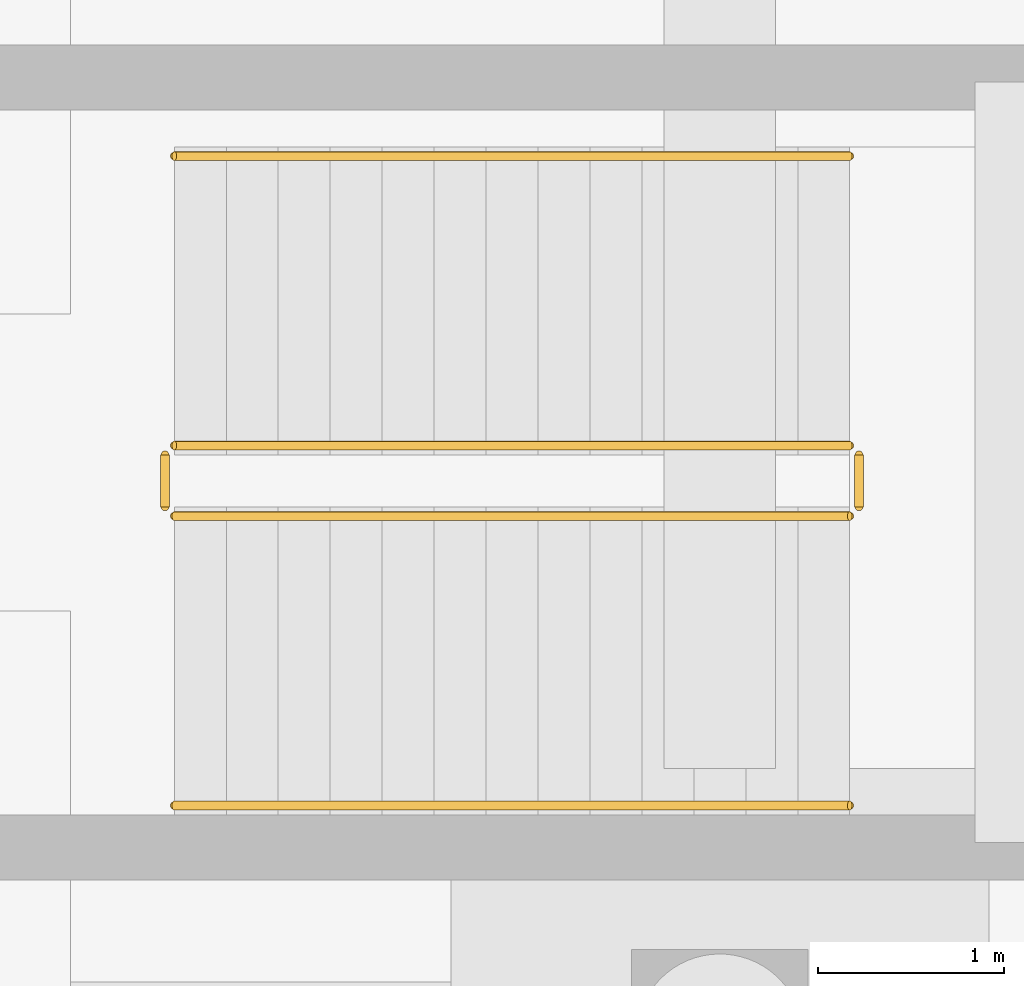
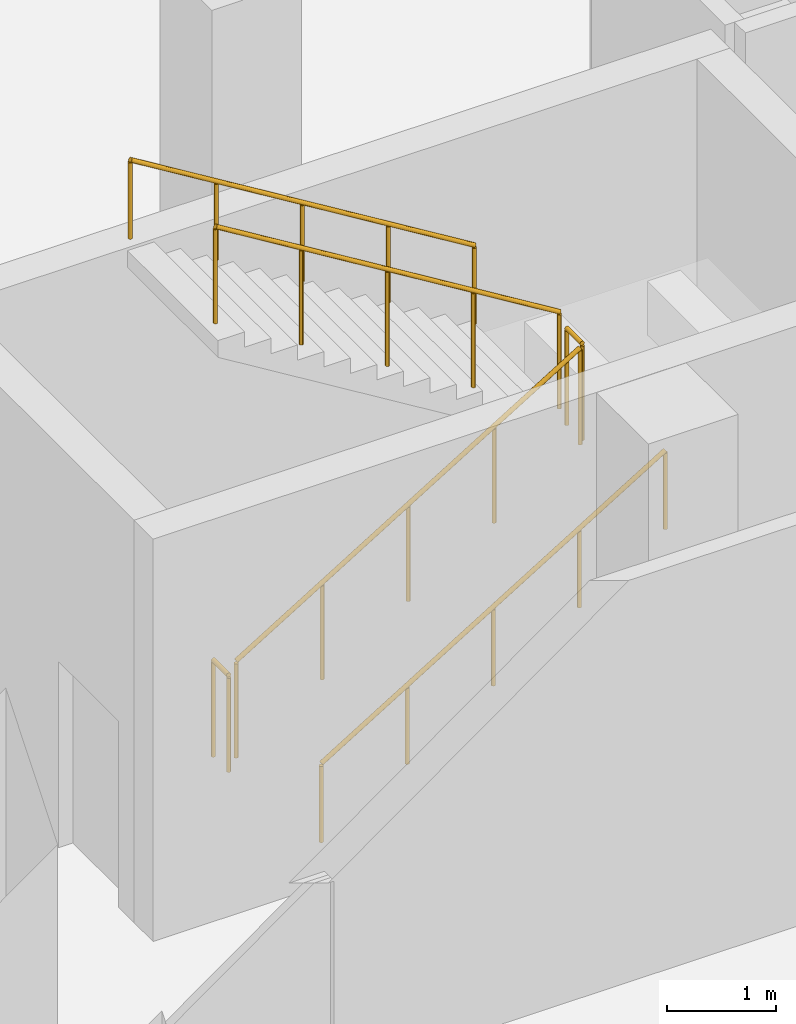
# One storey, part 24 of 29: 6 railings.
"""IFC4 building model written with IfcOpenShell, lengths in metres."""

from ifc_helpers import new_model, si_unit, direction, frame, origin, origin_2d, place, context, subcontext, project, spatial, circle, extrude, material, type_object, element, save


model = new_model("IFC4")

# Units and contexts
model_context = context("Model", 3, precision=1e-05, world=origin(), true_north=direction((0.0, 1.0)))
body_context = subcontext(model_context, "Body", "Model", "MODEL_VIEW")
ifc_project = project(units=[si_unit("LENGTHUNIT", "METRE"), si_unit("AREAUNIT", "SQUARE_METRE"), si_unit("VOLUMEUNIT", "CUBIC_METRE"), si_unit("PLANEANGLEUNIT", "RADIAN"), si_unit("MASSUNIT", "GRAM", prefix="KILO")], contexts=[model_context])

# Site, building, storey
site_placement = place(None, origin())
site = spatial("IfcSite", under=ifc_project, at=site_placement, CompositionType="ELEMENT")
building_placement = place(site_placement, origin())
building = spatial("IfcBuilding", under=site, at=building_placement, Name="Kelarvand Opera House", CompositionType="ELEMENT")
storey_placement = place(building_placement, frame((0.0, 0.0, -9.60009765625)))
storey = spatial("IfcBuildingStorey", under=building, at=storey_placement, Name="B2", CompositionType="ELEMENT", Elevation=-9.60009765625)

# Railings
ifc_material_1 = material(Name="Brushed bronze tubular rail")
railing_type_1 = type_object("IfcRailingType", Name="Brushed Bronze Stair Wall Handrail 900", PredefinedType="HANDRAIL", material=ifc_material_1)
railing_1_placement = place(storey_placement, frame((63.4599609375, 47.85009765625, 0.171630859375)))
element("IfcRailing", 1, at=railing_1_placement, inside=storey, type_object=railing_type_1, Name="B2 ST-02 stair handrail 1", PredefinedType="HANDRAIL", context=body_context, shape_type="SweptSolid", body=[
    extrude(circle(Radius=0.02392578125, at=origin_2d()), frame((0.0, 0.0, 0.8759765625), z_axis=(0.852865859571, 0.0, 0.52213008492), x_axis=(0.0, 1.0, 0.0)), (0.0, 0.0, 1.0), 4.26806640625),
    extrude(circle(Radius=0.02099609375, at=origin_2d()), origin(), (0.0, 0.0, 1.0), 0.851806640625),
    extrude(circle(Radius=0.02099609375, at=origin_2d()), frame((0.91015625, 0.0, 0.55712890625)), (0.0, 0.0, 1.0), 0.851806640625),
    extrude(circle(Radius=0.02099609375, at=origin_2d()), frame((1.820068359375, 0.0, 1.1142578125)), (0.0, 0.0, 1.0), 0.851806640625),
    extrude(circle(Radius=0.02099609375, at=origin_2d()), frame((2.72998046875, 0.0, 1.67138671875)), (0.0, 0.0, 1.0), 0.851806640625),
    extrude(circle(Radius=0.02099609375, at=origin_2d()), frame((3.64013671875, 0.0, 2.228515625)), (0.0, 0.0, 1.0), 0.851806640625),
])
railing_2_placement = place(storey_placement, frame((67.10009765625, 51.35009765625, 2.571533203125)))
element("IfcRailing", 2, at=railing_2_placement, inside=storey, type_object=railing_type_1, Name="B2 ST-02 stair handrail 2", PredefinedType="HANDRAIL", context=body_context, shape_type="SweptSolid", body=[
    extrude(circle(Radius=0.02392578125, at=origin_2d()), frame((0.0, 0.0, 0.8759765625), z_axis=(-0.852865859571, 0.0, 0.52213008492), x_axis=(0.0, -1.0, 0.0)), (0.0, 0.0, 1.0), 4.26806640625),
    extrude(circle(Radius=0.02099609375, at=origin_2d()), origin(), (0.0, 0.0, 1.0), 0.851806640625),
    extrude(circle(Radius=0.02099609375, at=origin_2d()), frame((-0.91015625, 0.0, 0.55712890625)), (0.0, 0.0, 1.0), 0.851806640625),
    extrude(circle(Radius=0.02099609375, at=origin_2d()), frame((-1.820068359375, 0.0, 1.1142578125)), (0.0, 0.0, 1.0), 0.851806640625),
    extrude(circle(Radius=0.02099609375, at=origin_2d()), frame((-2.72998046875, 0.0, 1.67138671875)), (0.0, 0.0, 1.0), 0.851806640625),
    extrude(circle(Radius=0.02099609375, at=origin_2d()), frame((-3.64013671875, 0.0, 2.228515625)), (0.0, 0.0, 1.0), 0.851806640625),
])
ifc_material_2 = material(Name="Powder-coated Steel S355", Category="steel")
railing_type_2 = type_object("IfcRailingType", Name="Painted Steel Stair and Void Guardrail 1100", PredefinedType="GUARDRAIL", material=ifc_material_2)
railing_3_placement = place(storey_placement, frame((63.4599609375, 49.409912109375, 0.171630859375)))
element("IfcRailing", 3, at=railing_3_placement, inside=storey, type_object=railing_type_2, Name="B2 ST-02 stair guard 1", PredefinedType="GUARDRAIL", context=body_context, shape_type="SweptSolid", body=[
    extrude(circle(Radius=0.02392578125, at=origin_2d()), frame((0.0, 0.0, 1.076171875), z_axis=(0.852865859571, 0.0, 0.52213008492), x_axis=(0.0, 1.0, 0.0)), (0.0, 0.0, 1.0), 4.26806640625),
    extrude(circle(Radius=0.02099609375, at=origin_2d()), origin(), (0.0, 0.0, 1.0), 1.052001953125),
    extrude(circle(Radius=0.02099609375, at=origin_2d()), frame((0.91015625, 0.0, 0.55712890625)), (0.0, 0.0, 1.0), 1.052001953125),
    extrude(circle(Radius=0.02099609375, at=origin_2d()), frame((1.820068359375, 0.0, 1.1142578125)), (0.0, 0.0, 1.0), 1.052001953125),
    extrude(circle(Radius=0.02099609375, at=origin_2d()), frame((2.72998046875, 0.0, 1.67138671875)), (0.0, 0.0, 1.0), 1.052001953125),
    extrude(circle(Radius=0.02099609375, at=origin_2d()), frame((3.64013671875, 0.0, 2.228515625)), (0.0, 0.0, 1.0), 1.052001953125),
])
railing_4_placement = place(storey_placement, frame((67.14990234375, 49.4599609375, 2.400146484375)))
element("IfcRailing", 4, at=railing_4_placement, inside=storey, type_object=railing_type_2, Name="B2 ST-02 stair guard 2", PredefinedType="GUARDRAIL", context=body_context, shape_type="SweptSolid", body=[
    extrude(circle(Radius=0.02392578125, at=origin_2d()), frame((0.0, 0.0, 1.076171875), z_axis=(0.0, 1.0, 0.0), x_axis=(-1.0, 0.0, 0.0)), (0.0, 0.0, 1.0), 0.280029296875),
    extrude(circle(Radius=0.02099609375, at=origin_2d()), origin(), (0.0, 0.0, 1.0), 1.052001953125),
    extrude(circle(Radius=0.02099609375, at=origin_2d()), frame((0.0, 0.280029296875, 0.0)), (0.0, 0.0, 1.0), 1.052001953125),
])
railing_5_placement = place(storey_placement, frame((67.10009765625, 49.7900390625, 2.571533203125)))
element("IfcRailing", 5, at=railing_5_placement, inside=storey, type_object=railing_type_2, Name="B2 ST-02 stair guard 3", PredefinedType="GUARDRAIL", context=body_context, shape_type="SweptSolid", body=[
    extrude(circle(Radius=0.02392578125, at=origin_2d()), frame((0.0, 0.0, 1.076171875), z_axis=(-0.852865859571, 0.0, 0.52213008492), x_axis=(0.0, -1.0, 0.0)), (0.0, 0.0, 1.0), 4.26806640625),
    extrude(circle(Radius=0.02099609375, at=origin_2d()), origin(), (0.0, 0.0, 1.0), 1.052001953125),
    extrude(circle(Radius=0.02099609375, at=origin_2d()), frame((-0.91015625, 0.0, 0.55712890625)), (0.0, 0.0, 1.0), 1.052001953125),
    extrude(circle(Radius=0.02099609375, at=origin_2d()), frame((-1.820068359375, 0.0, 1.1142578125)), (0.0, 0.0, 1.0), 1.052001953125),
    extrude(circle(Radius=0.02099609375, at=origin_2d()), frame((-2.72998046875, 0.0, 1.67138671875)), (0.0, 0.0, 1.0), 1.052001953125),
    extrude(circle(Radius=0.02099609375, at=origin_2d()), frame((-3.64013671875, 0.0, 2.228515625)), (0.0, 0.0, 1.0), 1.052001953125),
])
railing_6_placement = place(storey_placement, frame((63.409912109375, 49.4599609375, 0.0)))
element("IfcRailing", 6, at=railing_6_placement, inside=storey, type_object=railing_type_2, Name="B2 ST-02 stair guard 4", PredefinedType="GUARDRAIL", context=body_context, shape_type="SweptSolid", body=[
    extrude(circle(Radius=0.02392578125, at=origin_2d()), frame((0.0, 0.0, 1.076171875), z_axis=(0.0, 1.0, 0.0), x_axis=(-1.0, 0.0, 0.0)), (0.0, 0.0, 1.0), 0.280029296875),
    extrude(circle(Radius=0.02099609375, at=origin_2d()), origin(), (0.0, 0.0, 1.0), 1.052001953125),
    extrude(circle(Radius=0.02099609375, at=origin_2d()), frame((0.0, 0.280029296875, 0.0)), (0.0, 0.0, 1.0), 1.052001953125),
])

save(model, "model.ifc")
